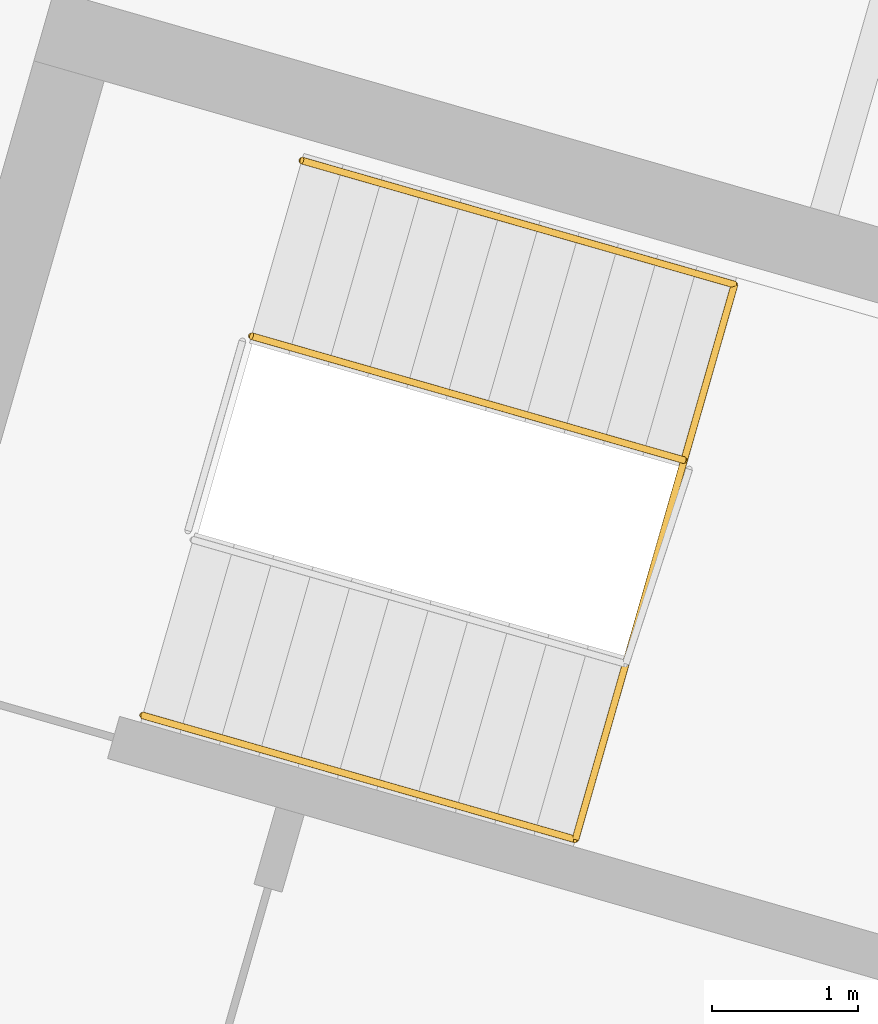
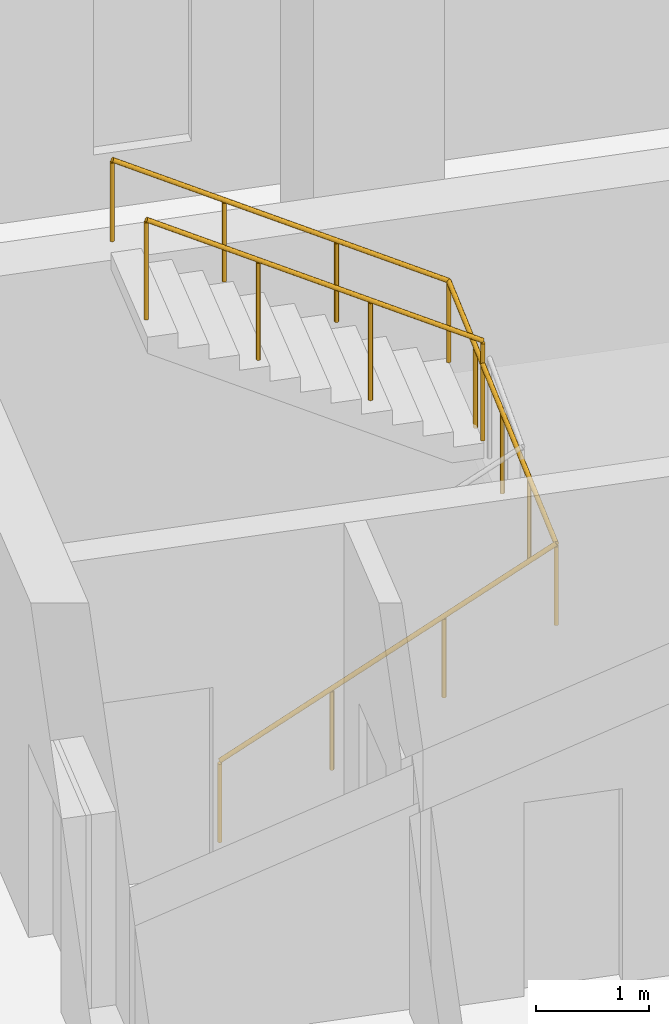
# One storey, part 9 of 9: 2 railings.
"""IFC4 building model written with IfcOpenShell, lengths in metres."""

from ifc_helpers import new_model, si_unit, direction, frame, origin, origin_2d, place, context, subcontext, project, spatial, circle, extrude, material, type_object, element, save


model = new_model("IFC4")

# Units and contexts
model_context = context("Model", 3, precision=1e-05, world=origin(), true_north=direction((0.0, 1.0)))
body_context = subcontext(model_context, "Body", "Model", "MODEL_VIEW")
ifc_project = project(units=[si_unit("LENGTHUNIT", "METRE"), si_unit("AREAUNIT", "SQUARE_METRE"), si_unit("VOLUMEUNIT", "CUBIC_METRE"), si_unit("PLANEANGLEUNIT", "RADIAN"), si_unit("MASSUNIT", "GRAM", prefix="KILO")], contexts=[model_context])

# Site, building, storey
site_placement = place(None, origin())
site = spatial("IfcSite", under=ifc_project, at=site_placement, CompositionType="ELEMENT")
building_placement = place(site_placement, origin())
building = spatial("IfcBuilding", under=site, at=building_placement, Name="Binnacle Exchange Tower", CompositionType="ELEMENT")
storey_placement = place(building_placement, frame((0.0, 0.0, 182.89990234375)))
storey = spatial("IfcBuildingStorey", under=building, at=storey_placement, Name="L39", CompositionType="ELEMENT", Elevation=182.89990234375)

# Railings
ifc_material_1 = material(Name="Steel guard rail", Category="steel")
railing_type_1 = type_object("IfcRailingType", Name="STAIR GUARD 1100", PredefinedType="GUARDRAIL", material=ifc_material_1)
railing_1_placement = place(storey_placement, frame((24.447021484375, 57.255126953125, 2.166748046875)))
element("IfcRailing", 1, at=railing_1_placement, inside=storey, type_object=railing_type_1, Name="L39 STD1 stair guard 2", PredefinedType="GUARDRAIL", context=body_context, shape_type="SweptSolid", body=[
    extrude(circle(Radius=0.02392578125, at=origin_2d()), frame((0.0, 0.0, 1.076171875), z_axis=(-0.826006950853, 0.236897186037, 0.511460888427), x_axis=(-0.27568413623, -0.961248280639, 0.0)), (0.0, 0.0, 1.0), 3.584228515625),
    extrude(circle(Radius=0.02099609375, at=origin_2d()), origin(), (0.0, 0.0, 1.0), 1.052001953125),
    extrude(circle(Radius=0.02099609375, at=origin_2d()), frame((-0.98681640625, 0.282958984375, 0.611083984375)), (0.0, 0.0, 1.0), 1.052001953125),
    extrude(circle(Radius=0.02099609375, at=origin_2d()), frame((-1.973876953125, 0.566162109375, 1.22216796875)), (0.0, 0.0, 1.0), 1.052001953125),
    extrude(circle(Radius=0.02099609375, at=origin_2d()), frame((-2.960693359375, 0.84912109375, 1.833251953125)), (0.0, 0.0, 1.0), 1.052001953125),
])
ifc_material_2 = material(Name="Steel handrail", Category="steel")
railing_type_2 = type_object("IfcRailingType", Name="STAIR HANDRAIL 900", PredefinedType="HANDRAIL", material=ifc_material_2)
railing_2_placement = place(storey_placement, frame((20.7421875, 55.5087890625, 0.166748046875)))
element("IfcRailing", 2, at=railing_2_placement, inside=storey, type_object=railing_type_2, Name="L39 STD1 stair handrail 1", PredefinedType="HANDRAIL", context=body_context, shape_type="SweptSolid", body=[
    extrude(circle(Radius=0.02392578125, at=origin_2d()), frame((0.0, 0.0, 0.8759765625), z_axis=(0.826020277534, -0.236832893954, 0.511469140266), x_axis=(0.275610892984, 0.961269283639, 0.0)), (0.0, 0.0, 1.0), 3.584228515625),
    extrude(circle(Radius=0.02392578125, at=origin_2d()), frame((2.960693359375, -0.848876953125, 2.708984375), z_axis=(0.275365570671, 0.960413849534, 0.042178668932), x_axis=(-0.961269298493, 0.275610841177, 0.0)), (0.0, 0.0, 1.0), 3.953369140625),
    extrude(circle(Radius=0.02392578125, at=origin_2d()), frame((4.04931640625, 2.947998046875, 2.8759765625), z_axis=(-0.826020277534, 0.236832893954, 0.511469140266), x_axis=(-0.275610892984, -0.961269283639, 0.0)), (0.0, 0.0, 1.0), 3.584228515625),
    extrude(circle(Radius=0.02099609375, at=origin_2d()), origin(), (0.0, 0.0, 1.0), 0.851806640625),
    extrude(circle(Radius=0.02099609375, at=origin_2d()), frame((0.98681640625, -0.282958984375, 0.611083984375)), (0.0, 0.0, 1.0), 0.851806640625),
    extrude(circle(Radius=0.02099609375, at=origin_2d()), frame((1.973876953125, -0.56591796875, 1.22216796875)), (0.0, 0.0, 1.0), 0.851806640625),
    extrude(circle(Radius=0.02099609375, at=origin_2d()), frame((2.960693359375, -0.848876953125, 1.833251953125)), (0.0, 0.0, 1.0), 0.851806640625),
    extrude(circle(Radius=0.02099609375, at=origin_2d()), frame((3.23291015625, 0.100341796875, 1.875)), (0.0, 0.0, 1.0), 0.851806640625),
    extrude(circle(Radius=0.02099609375, at=origin_2d()), frame((3.5048828125, 1.049560546875, 1.91650390625)), (0.0, 0.0, 1.0), 0.851806640625),
    extrude(circle(Radius=0.02099609375, at=origin_2d()), frame((3.777099609375, 1.998779296875, 1.958251953125)), (0.0, 0.0, 1.0), 0.851806640625),
    extrude(circle(Radius=0.02099609375, at=origin_2d()), frame((4.04931640625, 2.947998046875, 2.0)), (0.0, 0.0, 1.0), 0.851806640625),
    extrude(circle(Radius=0.02099609375, at=origin_2d()), frame((3.0625, 3.23095703125, 2.611083984375)), (0.0, 0.0, 1.0), 0.851806640625),
    extrude(circle(Radius=0.02099609375, at=origin_2d()), frame((2.075439453125, 3.513916015625, 3.22216796875)), (0.0, 0.0, 1.0), 0.851806640625),
    extrude(circle(Radius=0.02099609375, at=origin_2d()), frame((1.088623046875, 3.796875, 3.833251953125)), (0.0, 0.0, 1.0), 0.851806640625),
])

save(model, "model.ifc")
